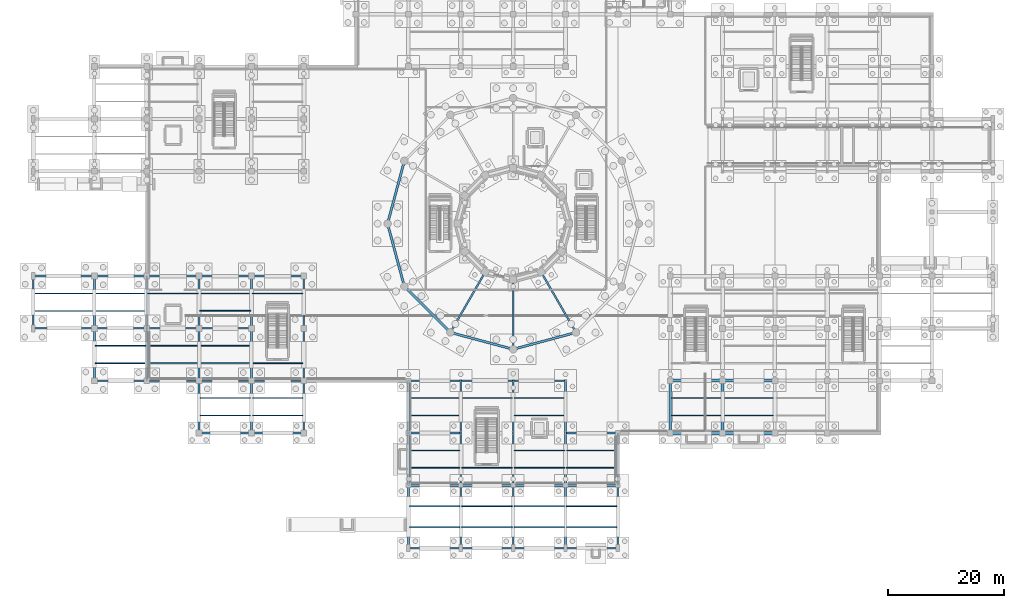
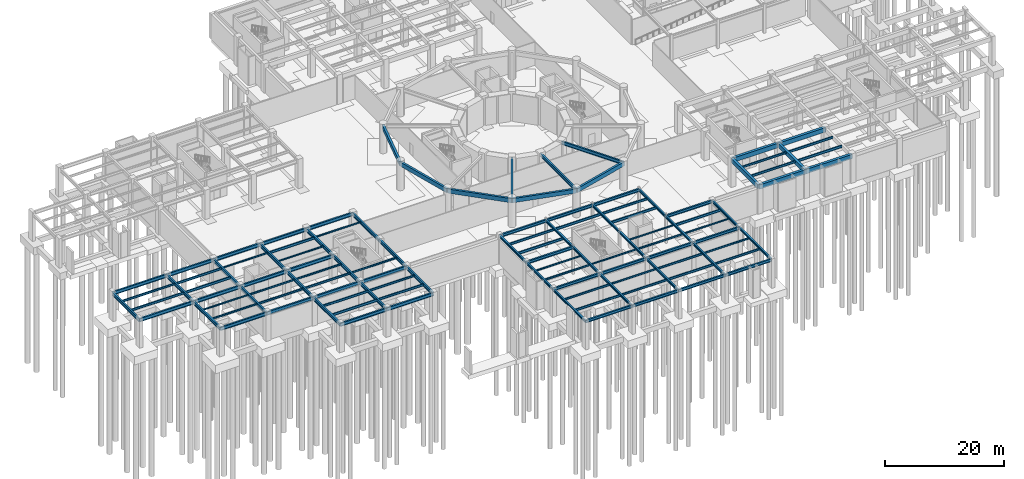
# One storey, part 13 of 36: 113 beams.
"""IFC4 building model written with IfcOpenShell, lengths in metres."""

from ifc_helpers import new_model, si_unit, direction, frame, origin, origin_2d, place, context, subcontext, project, spatial, rectangle, i_section, extrude, material, material_profile, profile_set, type_object, element, save


model = new_model("IFC4")

# Units and contexts
model_context = context("Model", 3, precision=1e-05, world=origin(), true_north=direction((0.0, 1.0)))
body_context = subcontext(model_context, "Body", "Model", "MODEL_VIEW")
ifc_project = project(units=[si_unit("LENGTHUNIT", "METRE"), si_unit("AREAUNIT", "SQUARE_METRE"), si_unit("VOLUMEUNIT", "CUBIC_METRE"), si_unit("PLANEANGLEUNIT", "RADIAN"), si_unit("MASSUNIT", "GRAM", prefix="KILO")], contexts=[model_context])

# Site, building, storey
site_placement = place(None, origin())
site = spatial("IfcSite", under=ifc_project, at=site_placement, CompositionType="ELEMENT")
building_placement = place(site_placement, origin())
building = spatial("IfcBuilding", under=site, at=building_placement, Name="Haizhuo Lancet Aquarium", CompositionType="ELEMENT")
storey_placement = place(building_placement, frame((0.0, 0.0, -6.0)))
storey = spatial("IfcBuildingStorey", under=building, at=storey_placement, Name="B1", CompositionType="ELEMENT", Elevation=-6.0)

# Beams
ifc_material_1 = material(Name="Concrete C40/50", Category="concrete")
ifc_material_profile_1 = material_profile(ifc_material_1, rectangle(XDim=0.449951171875, YDim=0.85009765625, at=origin_2d()), Name="RC-BM 450x850")
ifc_profile_set_1 = profile_set([ifc_material_profile_1], Name="Concrete C40/50")
beam_type_1 = type_object("IfcBeamType", Name="BM-RC-450x850", PredefinedType="BEAM", material=ifc_profile_set_1)
for number, where, z_axis, x_axis, name in (
    (1, (27.0, -36.0, 5.27490234375), (0.0, 1.0, 0.0), (-1.0, 0.0, 0.0), "B1 V3 primary girder BM-B1-V3-001"),
    (2, (36.0, -36.0, 5.27490234375), (0.0, 1.0, 0.0), (-1.0, 0.0, 0.0), "B1 V3 primary girder BM-B1-V3-007"),
):
    element("IfcBeam", number, at=place(storey_placement, frame(where, z_axis=z_axis, x_axis=x_axis)), inside=storey, type_object=beam_type_1, Name=name, PredefinedType="BEAM", context=body_context, shape_type="SweptSolid", body=[
        extrude(rectangle(XDim=0.449951171875, YDim=0.85009765625, at=origin_2d()), origin(), (0.0, 0.0, 1.0), 9.0),
    ])
ifc_material_profile_2 = material_profile(ifc_material_1, rectangle(XDim=0.5, YDim=0.89990234375, at=origin_2d()), Name="RC-BM 500x900")
ifc_profile_set_2 = profile_set([ifc_material_profile_2], Name="Concrete C40/50")
beam_type_2 = type_object("IfcBeamType", Name="BM-RC-500x900", PredefinedType="BEAM", material=ifc_profile_set_2)
for number, where, z_axis, x_axis, name in (
    (3, (27.0, -36.0, 5.25), (1.0, 0.0, 0.0), (0.0, 1.0, 0.0), "B1 V3 primary girder BM-B1-V3-002"),
    (4, (27.0, -27.0, 5.25), (1.0, 0.0, 0.0), (0.0, 1.0, 0.0), "B1 V3 primary girder BM-B1-V3-004"),
    (5, (36.0, -36.0, 5.25), (1.0, 0.0, 0.0), (0.0, 1.0, 0.0), "B1 V3 primary girder BM-B1-V3-008"),
    (6, (36.0, -27.0, 5.25), (1.0, 0.0, 0.0), (0.0, 1.0, 0.0), "B1 V3 primary girder BM-B1-V3-010"),
):
    element("IfcBeam", number, at=place(storey_placement, frame(where, z_axis=z_axis, x_axis=x_axis)), inside=storey, type_object=beam_type_2, Name=name, PredefinedType="BEAM", context=body_context, shape_type="SweptSolid", body=[
        extrude(rectangle(XDim=0.5, YDim=0.89990234375, at=origin_2d()), origin(), (0.0, 0.0, 1.0), 9.0),
    ])
ifc_material_2 = material(Name="Steel S355", Category="steel")
ifc_material_profile_3 = material_profile(ifc_material_2, i_section(OverallWidth=0.300048828125, OverallDepth=0.488037109375, WebThickness=0.010986328125, FlangeThickness=0.01806640625, FilletRadius=0.02392578125, at=origin_2d()), Name="HM 488x300x11x18")
ifc_profile_set_3 = profile_set([ifc_material_profile_3], Name="Steel S355")
beam_type_3 = type_object("IfcBeamType", Name="BM-ST-HM488", PredefinedType="BEAM", material=ifc_profile_set_3)
beam_1_placement = place(storey_placement, frame((-18.0, -55.800048828125, 5.4560546875), z_axis=(0.0, 1.0, 0.0), x_axis=(-1.0, 0.0, 0.0)))
element("IfcBeam", 7, at=beam_1_placement, inside=storey, type_object=beam_type_3, Name="B1 V4 primary girder BM-B1-V4-001", PredefinedType="BEAM", context=body_context, shape_type="SweptSolid", body=[
    extrude(i_section(OverallWidth=0.300048828125, OverallDepth=0.488037109375, WebThickness=0.010986328125, FlangeThickness=0.01806640625, FilletRadius=0.02392578125, at=origin_2d()), origin(), (0.0, 0.0, 1.0), 10.800048828125),
])
for number, where, z_axis, x_axis, name in (
    (8, (-18.0, -45.0, 5.4560546875), (0.0, 1.0, 0.0), (-1.0, 0.0, 0.0), "B1 V4 primary girder BM-B1-V4-003"),
    (9, (-18.0, -36.0, 5.4560546875), (0.0, 1.0, 0.0), (-1.0, 0.0, 0.0), "B1 V4 primary girder BM-B1-V4-005"),
):
    element("IfcBeam", number, at=place(storey_placement, frame(where, z_axis=z_axis, x_axis=x_axis)), inside=storey, type_object=beam_type_3, Name=name, PredefinedType="BEAM", context=body_context, shape_type="SweptSolid", body=[
        extrude(i_section(OverallWidth=0.300048828125, OverallDepth=0.488037109375, WebThickness=0.010986328125, FlangeThickness=0.01806640625, FilletRadius=0.02392578125, at=origin_2d()), origin(), (0.0, 0.0, 1.0), 9.0),
    ])
beam_2_placement = place(storey_placement, frame((-9.0, -55.800048828125, 5.4560546875), z_axis=(0.0, 1.0, 0.0), x_axis=(-1.0, 0.0, 0.0)))
element("IfcBeam", 10, at=beam_2_placement, inside=storey, type_object=beam_type_3, Name="B1 V4 primary girder BM-B1-V4-008", PredefinedType="BEAM", context=body_context, shape_type="SweptSolid", body=[
    extrude(i_section(OverallWidth=0.300048828125, OverallDepth=0.488037109375, WebThickness=0.010986328125, FlangeThickness=0.01806640625, FilletRadius=0.02392578125, at=origin_2d()), origin(), (0.0, 0.0, 1.0), 10.800048828125),
])
for number, where, z_axis, x_axis, name in (
    (11, (-9.0, -45.0, 5.4560546875), (0.0, 1.0, 0.0), (-1.0, 0.0, 0.0), "B1 V4 primary girder BM-B1-V4-010"),
    (12, (-9.0, -36.0, 5.4560546875), (0.0, 1.0, 0.0), (-1.0, 0.0, 0.0), "B1 V4 primary girder BM-B1-V4-012"),
):
    element("IfcBeam", number, at=place(storey_placement, frame(where, z_axis=z_axis, x_axis=x_axis)), inside=storey, type_object=beam_type_3, Name=name, PredefinedType="BEAM", context=body_context, shape_type="SweptSolid", body=[
        extrude(i_section(OverallWidth=0.300048828125, OverallDepth=0.488037109375, WebThickness=0.010986328125, FlangeThickness=0.01806640625, FilletRadius=0.02392578125, at=origin_2d()), origin(), (0.0, 0.0, 1.0), 9.0),
    ])
beam_3_placement = place(storey_placement, frame((0.0, -55.800048828125, 5.4560546875), z_axis=(0.0, 1.0, 0.0), x_axis=(-1.0, 0.0, 0.0)))
element("IfcBeam", 13, at=beam_3_placement, inside=storey, type_object=beam_type_3, Name="B1 V4 primary girder BM-B1-V4-014", PredefinedType="BEAM", context=body_context, shape_type="SweptSolid", body=[
    extrude(i_section(OverallWidth=0.300048828125, OverallDepth=0.488037109375, WebThickness=0.010986328125, FlangeThickness=0.01806640625, FilletRadius=0.02392578125, at=origin_2d()), origin(), (0.0, 0.0, 1.0), 10.800048828125),
])
for number, where, z_axis, x_axis, name in (
    (14, (0.0, -45.0, 5.4560546875), (0.0, 1.0, 0.0), (-1.0, 0.0, 0.0), "B1 V4 primary girder BM-B1-V4-016"),
    (15, (0.0, -36.0, 5.4560546875), (0.0, 1.0, 0.0), (-1.0, 0.0, 0.0), "B1 V4 primary girder BM-B1-V4-018"),
):
    element("IfcBeam", number, at=place(storey_placement, frame(where, z_axis=z_axis, x_axis=x_axis)), inside=storey, type_object=beam_type_3, Name=name, PredefinedType="BEAM", context=body_context, shape_type="SweptSolid", body=[
        extrude(i_section(OverallWidth=0.300048828125, OverallDepth=0.488037109375, WebThickness=0.010986328125, FlangeThickness=0.01806640625, FilletRadius=0.02392578125, at=origin_2d()), origin(), (0.0, 0.0, 1.0), 9.0),
    ])
beam_4_placement = place(storey_placement, frame((9.0, -55.800048828125, 5.4560546875), z_axis=(0.0, 1.0, 0.0), x_axis=(-1.0, 0.0, 0.0)))
element("IfcBeam", 16, at=beam_4_placement, inside=storey, type_object=beam_type_3, Name="B1 V4 primary girder BM-B1-V4-020", PredefinedType="BEAM", context=body_context, shape_type="SweptSolid", body=[
    extrude(i_section(OverallWidth=0.300048828125, OverallDepth=0.488037109375, WebThickness=0.010986328125, FlangeThickness=0.01806640625, FilletRadius=0.02392578125, at=origin_2d()), origin(), (0.0, 0.0, 1.0), 10.800048828125),
])
for number, where, z_axis, x_axis, name in (
    (17, (9.0, -45.0, 5.4560546875), (0.0, 1.0, 0.0), (-1.0, 0.0, 0.0), "B1 V4 primary girder BM-B1-V4-022"),
    (18, (9.0, -36.0, 5.4560546875), (0.0, 1.0, 0.0), (-1.0, 0.0, 0.0), "B1 V4 primary girder BM-B1-V4-024"),
):
    element("IfcBeam", number, at=place(storey_placement, frame(where, z_axis=z_axis, x_axis=x_axis)), inside=storey, type_object=beam_type_3, Name=name, PredefinedType="BEAM", context=body_context, shape_type="SweptSolid", body=[
        extrude(i_section(OverallWidth=0.300048828125, OverallDepth=0.488037109375, WebThickness=0.010986328125, FlangeThickness=0.01806640625, FilletRadius=0.02392578125, at=origin_2d()), origin(), (0.0, 0.0, 1.0), 9.0),
    ])
beam_5_placement = place(storey_placement, frame((18.0, -55.800048828125, 5.4560546875), z_axis=(0.0, 1.0, 0.0), x_axis=(-1.0, 0.0, 0.0)))
element("IfcBeam", 19, at=beam_5_placement, inside=storey, type_object=beam_type_3, Name="B1 V4 primary girder BM-B1-V4-026", PredefinedType="BEAM", context=body_context, shape_type="SweptSolid", body=[
    extrude(i_section(OverallWidth=0.300048828125, OverallDepth=0.488037109375, WebThickness=0.010986328125, FlangeThickness=0.01806640625, FilletRadius=0.02392578125, at=origin_2d()), origin(), (0.0, 0.0, 1.0), 10.800048828125),
])
beam_6_placement = place(storey_placement, frame((18.0, -45.0, 5.4560546875), z_axis=(0.0, 1.0, 0.0), x_axis=(-1.0, 0.0, 0.0)))
element("IfcBeam", 20, at=beam_6_placement, inside=storey, type_object=beam_type_3, Name="B1 V4 primary girder BM-B1-V4-027", PredefinedType="BEAM", context=body_context, shape_type="SweptSolid", body=[
    extrude(i_section(OverallWidth=0.300048828125, OverallDepth=0.488037109375, WebThickness=0.010986328125, FlangeThickness=0.01806640625, FilletRadius=0.02392578125, at=origin_2d()), origin(), (0.0, 0.0, 1.0), 9.0),
])
ifc_material_profile_4 = material_profile(ifc_material_2, i_section(OverallWidth=0.300048828125, OverallDepth=0.587890625, WebThickness=0.011962890625, FlangeThickness=0.02001953125, FilletRadius=0.02587890625, at=origin_2d()), Name="HM 588x300x12x20")
ifc_profile_set_4 = profile_set([ifc_material_profile_4], Name="Steel S355")
beam_type_4 = type_object("IfcBeamType", Name="BM-ST-HM588", PredefinedType="BEAM", material=ifc_profile_set_4)
for number, where, z_axis, x_axis, name in (
    (21, (-18.0, -55.800048828125, 5.406005859375), (1.0, 0.0, 0.0), (0.0, 1.0, 0.0), "B1 V4 primary girder BM-B1-V4-002"),
    (22, (-18.0, -45.0, 5.406005859375), (1.0, 0.0, 0.0), (0.0, 1.0, 0.0), "B1 V4 primary girder BM-B1-V4-004"),
    (23, (-18.0, -36.0, 5.406005859375), (1.0, 0.0, 0.0), (0.0, 1.0, 0.0), "B1 V4 primary girder BM-B1-V4-006"),
    (24, (-18.0, -27.0, 5.406005859375), (1.0, 0.0, 0.0), (0.0, 1.0, 0.0), "B1 V4 primary girder BM-B1-V4-007"),
    (25, (-9.0, -55.800048828125, 5.406005859375), (1.0, 0.0, 0.0), (0.0, 1.0, 0.0), "B1 V4 primary girder BM-B1-V4-009"),
    (26, (-9.0, -45.0, 5.406005859375), (1.0, 0.0, 0.0), (0.0, 1.0, 0.0), "B1 V4 primary girder BM-B1-V4-011"),
    (27, (-9.0, -27.0, 5.406005859375), (1.0, 0.0, 0.0), (0.0, 1.0, 0.0), "B1 V4 primary girder BM-B1-V4-013"),
    (28, (0.0, -55.800048828125, 5.406005859375), (1.0, 0.0, 0.0), (0.0, 1.0, 0.0), "B1 V4 primary girder BM-B1-V4-015"),
    (29, (0.0, -45.0, 5.406005859375), (1.0, 0.0, 0.0), (0.0, 1.0, 0.0), "B1 V4 primary girder BM-B1-V4-017"),
    (30, (0.0, -27.0, 5.406005859375), (1.0, 0.0, 0.0), (0.0, 1.0, 0.0), "B1 V4 primary girder BM-B1-V4-019"),
    (31, (9.0, -55.800048828125, 5.406005859375), (1.0, 0.0, 0.0), (0.0, 1.0, 0.0), "B1 V4 primary girder BM-B1-V4-021"),
    (32, (9.0, -45.0, 5.406005859375), (1.0, 0.0, 0.0), (0.0, 1.0, 0.0), "B1 V4 primary girder BM-B1-V4-023"),
    (33, (9.0, -36.0, 5.406005859375), (1.0, 0.0, 0.0), (0.0, 1.0, 0.0), "B1 V4 primary girder BM-B1-V4-025"),
):
    element("IfcBeam", number, at=place(storey_placement, frame(where, z_axis=z_axis, x_axis=x_axis)), inside=storey, type_object=beam_type_4, Name=name, PredefinedType="BEAM", context=body_context, shape_type="SweptSolid", body=[
        extrude(i_section(OverallWidth=0.300048828125, OverallDepth=0.587890625, WebThickness=0.011962890625, FlangeThickness=0.02001953125, FilletRadius=0.02587890625, at=origin_2d()), origin(), (0.0, 0.0, 1.0), 9.0),
    ])
ifc_material_profile_5 = material_profile(ifc_material_2, i_section(OverallWidth=0.300048828125, OverallDepth=0.699951171875, WebThickness=0.012939453125, FlangeThickness=0.02392578125, FilletRadius=0.02587890625, at=origin_2d()), Name="HN 700x300x13x24")
ifc_profile_set_5 = profile_set([ifc_material_profile_5], Name="Steel S355")
beam_type_5 = type_object("IfcBeamType", Name="BM-ST-HN700", PredefinedType="BEAM", material=ifc_profile_set_5)
beam_7_placement = place(storey_placement, frame((-4.800048828125, -8.31396484375, 5.25), z_axis=(-0.500007758305, -0.866020924479, 0.0), x_axis=(0.866020924479, -0.500007758305, 0.0)))
element("IfcBeam", 34, at=beam_7_placement, inside=storey, type_object=beam_type_5, Name="B1 radial gallery girder 9", PredefinedType="BEAM", context=body_context, shape_type="SweptSolid", body=[
    extrude(i_section(OverallWidth=0.300048828125, OverallDepth=0.699951171875, WebThickness=0.012939453125, FlangeThickness=0.02392578125, FilletRadius=0.02587890625, at=origin_2d()), origin(), (0.0, 0.0, 1.0), 11.999755859375),
])
beam_8_placement = place(storey_placement, frame((0.0, -9.60009765625, 5.25), z_axis=(0.0, -1.0, 0.0), x_axis=(1.0, 0.0, 0.0)))
element("IfcBeam", 35, at=beam_8_placement, inside=storey, type_object=beam_type_5, Name="B1 radial gallery girder 10", PredefinedType="BEAM", context=body_context, shape_type="SweptSolid", body=[
    extrude(i_section(OverallWidth=0.300048828125, OverallDepth=0.699951171875, WebThickness=0.012939453125, FlangeThickness=0.02392578125, FilletRadius=0.02587890625, at=origin_2d()), origin(), (0.0, 0.0, 1.0), 12.0),
])
beam_9_placement = place(storey_placement, frame((4.800048828125, -8.31396484375, 5.25), z_axis=(0.500007758305, -0.866020924479, 0.0), x_axis=(0.866020924479, 0.500007758305, 0.0)))
element("IfcBeam", 36, at=beam_9_placement, inside=storey, type_object=beam_type_5, Name="B1 radial gallery girder 11", PredefinedType="BEAM", context=body_context, shape_type="SweptSolid", body=[
    extrude(i_section(OverallWidth=0.300048828125, OverallDepth=0.699951171875, WebThickness=0.012939453125, FlangeThickness=0.02392578125, FilletRadius=0.02587890625, at=origin_2d()), origin(), (0.0, 0.0, 1.0), 11.999755859375),
])
beam_10_placement = place(storey_placement, frame((-82.5, -18.0, 5.35009765625), z_axis=(0.0, 1.0, 0.0), x_axis=(-1.0, 0.0, 0.0)))
element("IfcBeam", 37, at=beam_10_placement, inside=storey, type_object=beam_type_5, Name="B1 V6 primary girder BM-B1-V6-001", PredefinedType="BEAM", context=body_context, shape_type="SweptSolid", body=[
    extrude(i_section(OverallWidth=0.300048828125, OverallDepth=0.699951171875, WebThickness=0.012939453125, FlangeThickness=0.02392578125, FilletRadius=0.02587890625, at=origin_2d()), origin(), (0.0, 0.0, 1.0), 9.0),
])
for number, where, z_axis, x_axis, name in (
    (38, (-82.5, -18.0, 5.35009765625), (1.0, 0.0, 0.0), (0.0, 1.0, 0.0), "B1 V6 primary girder BM-B1-V6-002"),
    (39, (-82.5, -9.0, 5.35009765625), (1.0, 0.0, 0.0), (0.0, 1.0, 0.0), "B1 V6 primary girder BM-B1-V6-003"),
):
    element("IfcBeam", number, at=place(storey_placement, frame(where, z_axis=z_axis, x_axis=x_axis)), inside=storey, type_object=beam_type_5, Name=name, PredefinedType="BEAM", context=body_context, shape_type="SweptSolid", body=[
        extrude(i_section(OverallWidth=0.300048828125, OverallDepth=0.699951171875, WebThickness=0.012939453125, FlangeThickness=0.02392578125, FilletRadius=0.02587890625, at=origin_2d()), origin(), (0.0, 0.0, 1.0), 10.5),
    ])
for number, where, z_axis, x_axis, name in (
    (40, (-72.0, -27.0, 5.35009765625), (0.0, 1.0, 0.0), (-1.0, 0.0, 0.0), "B1 V6 primary girder BM-B1-V6-004"),
    (41, (-72.0, -27.0, 5.35009765625), (1.0, 0.0, 0.0), (0.0, 1.0, 0.0), "B1 V6 primary girder BM-B1-V6-005"),
    (42, (-72.0, -18.0, 5.35009765625), (0.0, 1.0, 0.0), (-1.0, 0.0, 0.0), "B1 V6 primary girder BM-B1-V6-006"),
    (43, (-72.0, -18.0, 5.35009765625), (1.0, 0.0, 0.0), (0.0, 1.0, 0.0), "B1 V6 primary girder BM-B1-V6-007"),
    (44, (-72.0, -9.0, 5.35009765625), (1.0, 0.0, 0.0), (0.0, 1.0, 0.0), "B1 V6 primary girder BM-B1-V6-008"),
    (45, (-63.0, -27.0, 5.35009765625), (0.0, 1.0, 0.0), (-1.0, 0.0, 0.0), "B1 V6 primary girder BM-B1-V6-009"),
    (46, (-63.0, -27.0, 5.35009765625), (1.0, 0.0, 0.0), (0.0, 1.0, 0.0), "B1 V6 primary girder BM-B1-V6-010"),
    (47, (-63.0, -18.0, 5.35009765625), (0.0, 1.0, 0.0), (-1.0, 0.0, 0.0), "B1 V6 primary girder BM-B1-V6-011"),
    (48, (-63.0, -18.0, 5.35009765625), (1.0, 0.0, 0.0), (0.0, 1.0, 0.0), "B1 V6 primary girder BM-B1-V6-012"),
    (49, (-63.0, -9.0, 5.35009765625), (1.0, 0.0, 0.0), (0.0, 1.0, 0.0), "B1 V6 primary girder BM-B1-V6-013"),
    (50, (-54.0, -36.0, 5.35009765625), (0.0, 1.0, 0.0), (-1.0, 0.0, 0.0), "B1 V6 primary girder BM-B1-V6-014"),
    (51, (-54.0, -36.0, 5.35009765625), (1.0, 0.0, 0.0), (0.0, 1.0, 0.0), "B1 V6 primary girder BM-B1-V6-015"),
    (52, (-54.0, -27.0, 5.35009765625), (0.0, 1.0, 0.0), (-1.0, 0.0, 0.0), "B1 V6 primary girder BM-B1-V6-016"),
    (53, (-54.0, -27.0, 5.35009765625), (1.0, 0.0, 0.0), (0.0, 1.0, 0.0), "B1 V6 primary girder BM-B1-V6-017"),
    (54, (-54.0, -18.0, 5.35009765625), (0.0, 1.0, 0.0), (-1.0, 0.0, 0.0), "B1 V6 primary girder BM-B1-V6-018"),
    (55, (-54.0, -18.0, 5.35009765625), (1.0, 0.0, 0.0), (0.0, 1.0, 0.0), "B1 V6 primary girder BM-B1-V6-019"),
    (56, (-54.0, -9.0, 5.35009765625), (1.0, 0.0, 0.0), (0.0, 1.0, 0.0), "B1 V6 primary girder BM-B1-V6-020"),
    (57, (-45.0, -36.0, 5.35009765625), (0.0, 1.0, 0.0), (-1.0, 0.0, 0.0), "B1 V6 primary girder BM-B1-V6-021"),
    (58, (-45.0, -36.0, 5.35009765625), (1.0, 0.0, 0.0), (0.0, 1.0, 0.0), "B1 V6 primary girder BM-B1-V6-022"),
    (59, (-45.0, -27.0, 5.35009765625), (0.0, 1.0, 0.0), (-1.0, 0.0, 0.0), "B1 V6 primary girder BM-B1-V6-023"),
    (60, (-45.0, -27.0, 5.35009765625), (1.0, 0.0, 0.0), (0.0, 1.0, 0.0), "B1 V6 primary girder BM-B1-V6-024"),
    (61, (-45.0, -18.0, 5.35009765625), (0.0, 1.0, 0.0), (-1.0, 0.0, 0.0), "B1 V6 primary girder BM-B1-V6-025"),
    (62, (-45.0, -9.0, 5.35009765625), (1.0, 0.0, 0.0), (0.0, 1.0, 0.0), "B1 V6 primary girder BM-B1-V6-026"),
    (63, (-36.0, -36.0, 5.35009765625), (0.0, 1.0, 0.0), (-1.0, 0.0, 0.0), "B1 V6 primary girder BM-B1-V6-027"),
    (64, (-36.0, -27.0, 5.35009765625), (0.0, 1.0, 0.0), (-1.0, 0.0, 0.0), "B1 V6 primary girder BM-B1-V6-028"),
    (65, (-36.0, -18.0, 5.35009765625), (0.0, 1.0, 0.0), (-1.0, 0.0, 0.0), "B1 V6 primary girder BM-B1-V6-029"),
):
    element("IfcBeam", number, at=place(storey_placement, frame(where, z_axis=z_axis, x_axis=x_axis)), inside=storey, type_object=beam_type_5, Name=name, PredefinedType="BEAM", context=body_context, shape_type="SweptSolid", body=[
        extrude(i_section(OverallWidth=0.300048828125, OverallDepth=0.699951171875, WebThickness=0.012939453125, FlangeThickness=0.02392578125, FilletRadius=0.02587890625, at=origin_2d()), origin(), (0.0, 0.0, 1.0), 9.0),
    ])
ifc_material_profile_6 = material_profile(ifc_material_2, i_section(OverallWidth=0.14990234375, OverallDepth=0.300048828125, WebThickness=0.006591796875, FlangeThickness=0.009033203125, FilletRadius=0.012939453125, at=origin_2d()), Name="HN 300x150x6.5x9")
ifc_profile_set_6 = profile_set([ifc_material_profile_6], Name="Steel S355")
beam_type_6 = type_object("IfcBeamType", Name="JST-ST-HN300", PredefinedType="JOIST", material=ifc_profile_set_6)
for number, where, z_axis, x_axis, name in (
    (66, (-17.85009765625, -39.0, 5.550048828125), (1.0, 0.0, 0.0), (0.0, 1.0, 0.0), "B1 V4 secondary floor joist 4"),
    (67, (-8.85009765625, -42.0, 5.550048828125), (1.0, 0.0, 0.0), (0.0, 1.0, 0.0), "B1 V4 secondary floor joist 9"),
    (68, (0.14990234375, -39.0, 5.550048828125), (1.0, 0.0, 0.0), (0.0, 1.0, 0.0), "B1 V4 secondary floor joist 14"),
    (69, (9.14990234375, -42.0, 5.550048828125), (1.0, 0.0, 0.0), (0.0, 1.0, 0.0), "B1 V4 secondary floor joist 19"),
    (70, (-71.85009765625, -21.0, 5.550048828125), (1.0, 0.0, 0.0), (0.0, 1.0, 0.0), "B1 V6 secondary floor joist 4"),
    (71, (-62.85009765625, -12.0, 5.550048828125), (1.0, 0.0, 0.0), (0.0, 1.0, 0.0), "B1 V6 secondary floor joist 9"),
    (72, (-53.85009765625, -15.0, 5.550048828125), (1.0, 0.0, 0.0), (0.0, 1.0, 0.0), "B1 V6 secondary floor joist 14"),
    (73, (-44.85009765625, -12.0, 5.550048828125), (1.0, 0.0, 0.0), (0.0, 1.0, 0.0), "B1 V6 secondary floor joist 19"),
):
    element("IfcBeam", number, at=place(storey_placement, frame(where, z_axis=z_axis, x_axis=x_axis)), inside=storey, type_object=beam_type_6, Name=name, PredefinedType="JOIST", context=body_context, shape_type="SweptSolid", body=[
        extrude(i_section(OverallWidth=0.14990234375, OverallDepth=0.300048828125, WebThickness=0.006591796875, FlangeThickness=0.009033203125, FilletRadius=0.012939453125, at=origin_2d()), origin(), (0.0, 0.0, 1.0), 8.7001953125),
    ])
ifc_material_profile_7 = material_profile(ifc_material_2, i_section(OverallWidth=0.175048828125, OverallDepth=0.35009765625, WebThickness=0.007080078125, FlangeThickness=0.010986328125, FilletRadius=0.013916015625, at=origin_2d()), Name="HN 350x175x7x11")
ifc_profile_set_7 = profile_set([ifc_material_profile_7], Name="Steel S355")
beam_type_7 = type_object("IfcBeamType", Name="JST-ST-HN350", PredefinedType="JOIST", material=ifc_profile_set_7)
for number, where, z_axis, x_axis, name in (
    (74, (-17.85009765625, -42.0, 5.52490234375), (1.0, 0.0, 0.0), (0.0, 1.0, 0.0), "B1 V4 secondary floor joist 3"),
    (75, (-8.85009765625, -48.60009765625, 5.52490234375), (1.0, 0.0, 0.0), (0.0, 1.0, 0.0), "B1 V4 secondary floor joist 8"),
    (76, (0.14990234375, -42.0, 5.52490234375), (1.0, 0.0, 0.0), (0.0, 1.0, 0.0), "B1 V4 secondary floor joist 13"),
    (77, (9.14990234375, -48.60009765625, 5.52490234375), (1.0, 0.0, 0.0), (0.0, 1.0, 0.0), "B1 V4 secondary floor joist 18"),
    (78, (-71.85009765625, -24.0, 5.52490234375), (1.0, 0.0, 0.0), (0.0, 1.0, 0.0), "B1 V6 secondary floor joist 3"),
    (79, (-62.85009765625, -21.0, 5.52490234375), (1.0, 0.0, 0.0), (0.0, 1.0, 0.0), "B1 V6 secondary floor joist 8"),
    (80, (-53.85009765625, -21.0, 5.52490234375), (1.0, 0.0, 0.0), (0.0, 1.0, 0.0), "B1 V6 secondary floor joist 13"),
    (81, (-44.85009765625, -24.0, 5.52490234375), (1.0, 0.0, 0.0), (0.0, 1.0, 0.0), "B1 V6 secondary floor joist 18"),
):
    element("IfcBeam", number, at=place(storey_placement, frame(where, z_axis=z_axis, x_axis=x_axis)), inside=storey, type_object=beam_type_7, Name=name, PredefinedType="JOIST", context=body_context, shape_type="SweptSolid", body=[
        extrude(i_section(OverallWidth=0.175048828125, OverallDepth=0.35009765625, WebThickness=0.007080078125, FlangeThickness=0.010986328125, FilletRadius=0.013916015625, at=origin_2d()), origin(), (0.0, 0.0, 1.0), 8.7001953125),
    ])
ifc_material_profile_8 = material_profile(ifc_material_2, i_section(OverallWidth=0.199951171875, OverallDepth=0.39990234375, WebThickness=0.008056640625, FlangeThickness=0.012939453125, FilletRadius=0.01611328125, at=origin_2d()), Name="HN 400x200x8x13")
ifc_profile_set_8 = profile_set([ifc_material_profile_8], Name="Steel S355")
beam_type_8 = type_object("IfcBeamType", Name="JST-ST-HN400", PredefinedType="JOIST", material=ifc_profile_set_8)
beam_11_placement = place(storey_placement, frame((27.22509765625, -30.0, 5.5), z_axis=(1.0, 0.0, 0.0), x_axis=(0.0, 1.0, 0.0)))
element("IfcBeam", 82, at=beam_11_placement, inside=storey, type_object=beam_type_8, Name="B1 V3 secondary floor joist 2", PredefinedType="JOIST", context=body_context, shape_type="SweptSolid", body=[
    extrude(i_section(OverallWidth=0.199951171875, OverallDepth=0.39990234375, WebThickness=0.008056640625, FlangeThickness=0.012939453125, FilletRadius=0.01611328125, at=origin_2d()), origin(), (0.0, 0.0, 1.0), 8.5498046875),
])
for number, where, z_axis, x_axis, name in (
    (83, (-17.85009765625, -48.60009765625, 5.5), (1.0, 0.0, 0.0), (0.0, 1.0, 0.0), "B1 V4 secondary floor joist 2"),
    (84, (-8.85009765625, -52.199951171875, 5.5), (1.0, 0.0, 0.0), (0.0, 1.0, 0.0), "B1 V4 secondary floor joist 7"),
    (85, (0.14990234375, -48.60009765625, 5.5), (1.0, 0.0, 0.0), (0.0, 1.0, 0.0), "B1 V4 secondary floor joist 12"),
    (86, (9.14990234375, -52.199951171875, 5.5), (1.0, 0.0, 0.0), (0.0, 1.0, 0.0), "B1 V4 secondary floor joist 17"),
):
    element("IfcBeam", number, at=place(storey_placement, frame(where, z_axis=z_axis, x_axis=x_axis)), inside=storey, type_object=beam_type_8, Name=name, PredefinedType="JOIST", context=body_context, shape_type="SweptSolid", body=[
        extrude(i_section(OverallWidth=0.199951171875, OverallDepth=0.39990234375, WebThickness=0.008056640625, FlangeThickness=0.012939453125, FilletRadius=0.01611328125, at=origin_2d()), origin(), (0.0, 0.0, 1.0), 8.7001953125),
    ])
beam_12_placement = place(storey_placement, frame((-82.35009765625, -12.0, 5.5), z_axis=(1.0, 0.0, 0.0), x_axis=(0.0, 1.0, 0.0)))
element("IfcBeam", 87, at=beam_12_placement, inside=storey, type_object=beam_type_8, Name="B1 V6 secondary floor joist 2", PredefinedType="JOIST", context=body_context, shape_type="SweptSolid", body=[
    extrude(i_section(OverallWidth=0.199951171875, OverallDepth=0.39990234375, WebThickness=0.008056640625, FlangeThickness=0.012939453125, FilletRadius=0.01611328125, at=origin_2d()), origin(), (0.0, 0.0, 1.0), 10.2001953125),
])
for number, where, z_axis, x_axis, name in (
    (88, (-62.85009765625, -24.0, 5.5), (1.0, 0.0, 0.0), (0.0, 1.0, 0.0), "B1 V6 secondary floor joist 7"),
    (89, (-53.85009765625, -24.0, 5.5), (1.0, 0.0, 0.0), (0.0, 1.0, 0.0), "B1 V6 secondary floor joist 12"),
    (90, (-44.85009765625, -30.0, 5.5), (1.0, 0.0, 0.0), (0.0, 1.0, 0.0), "B1 V6 secondary floor joist 17"),
):
    element("IfcBeam", number, at=place(storey_placement, frame(where, z_axis=z_axis, x_axis=x_axis)), inside=storey, type_object=beam_type_8, Name=name, PredefinedType="JOIST", context=body_context, shape_type="SweptSolid", body=[
        extrude(i_section(OverallWidth=0.199951171875, OverallDepth=0.39990234375, WebThickness=0.008056640625, FlangeThickness=0.012939453125, FilletRadius=0.01611328125, at=origin_2d()), origin(), (0.0, 0.0, 1.0), 8.7001953125),
    ])
ifc_material_profile_9 = material_profile(ifc_material_2, i_section(OverallWidth=0.199951171875, OverallDepth=0.449951171875, WebThickness=0.009033203125, FlangeThickness=0.013916015625, FilletRadius=0.01806640625, at=origin_2d()), Name="HN 450x200x9x14")
ifc_profile_set_9 = profile_set([ifc_material_profile_9], Name="Steel S355")
beam_type_9 = type_object("IfcBeamType", Name="JST-ST-HN450", PredefinedType="JOIST", material=ifc_profile_set_9)
for number, where, z_axis, x_axis, name in (
    (91, (27.22509765625, -33.0, 5.47509765625), (1.0, 0.0, 0.0), (0.0, 1.0, 0.0), "B1 V3 secondary floor joist 1"),
    (92, (36.22509765625, -30.0, 5.47509765625), (1.0, 0.0, 0.0), (0.0, 1.0, 0.0), "B1 V3 secondary floor joist 6"),
):
    element("IfcBeam", number, at=place(storey_placement, frame(where, z_axis=z_axis, x_axis=x_axis)), inside=storey, type_object=beam_type_9, Name=name, PredefinedType="JOIST", context=body_context, shape_type="SweptSolid", body=[
        extrude(i_section(OverallWidth=0.199951171875, OverallDepth=0.449951171875, WebThickness=0.009033203125, FlangeThickness=0.013916015625, FilletRadius=0.01806640625, at=origin_2d()), origin(), (0.0, 0.0, 1.0), 8.5498046875),
    ])
for number, where, z_axis, x_axis, name in (
    (93, (-17.85009765625, -52.199951171875, 5.47509765625), (1.0, 0.0, 0.0), (0.0, 1.0, 0.0), "B1 V4 secondary floor joist 1"),
    (94, (-17.85009765625, -30.0, 5.47509765625), (1.0, 0.0, 0.0), (0.0, 1.0, 0.0), "B1 V4 secondary floor joist 6"),
    (95, (0.14990234375, -52.199951171875, 5.47509765625), (1.0, 0.0, 0.0), (0.0, 1.0, 0.0), "B1 V4 secondary floor joist 11"),
    (96, (0.14990234375, -30.0, 5.47509765625), (1.0, 0.0, 0.0), (0.0, 1.0, 0.0), "B1 V4 secondary floor joist 16"),
):
    element("IfcBeam", number, at=place(storey_placement, frame(where, z_axis=z_axis, x_axis=x_axis)), inside=storey, type_object=beam_type_9, Name=name, PredefinedType="JOIST", context=body_context, shape_type="SweptSolid", body=[
        extrude(i_section(OverallWidth=0.199951171875, OverallDepth=0.449951171875, WebThickness=0.009033203125, FlangeThickness=0.013916015625, FilletRadius=0.01806640625, at=origin_2d()), origin(), (0.0, 0.0, 1.0), 8.7001953125),
    ])
beam_13_placement = place(storey_placement, frame((-82.35009765625, -15.0, 5.47509765625), z_axis=(1.0, 0.0, 0.0), x_axis=(0.0, 1.0, 0.0)))
element("IfcBeam", 97, at=beam_13_placement, inside=storey, type_object=beam_type_9, Name="B1 V6 secondary floor joist 1", PredefinedType="JOIST", context=body_context, shape_type="SweptSolid", body=[
    extrude(i_section(OverallWidth=0.199951171875, OverallDepth=0.449951171875, WebThickness=0.009033203125, FlangeThickness=0.013916015625, FilletRadius=0.01806640625, at=origin_2d()), origin(), (0.0, 0.0, 1.0), 10.2001953125),
])
for number, where, z_axis, x_axis, name in (
    (98, (-71.85009765625, -12.0, 5.47509765625), (1.0, 0.0, 0.0), (0.0, 1.0, 0.0), "B1 V6 secondary floor joist 6"),
    (99, (-53.85009765625, -30.0, 5.47509765625), (1.0, 0.0, 0.0), (0.0, 1.0, 0.0), "B1 V6 secondary floor joist 11"),
    (100, (-44.85009765625, -33.0, 5.47509765625), (1.0, 0.0, 0.0), (0.0, 1.0, 0.0), "B1 V6 secondary floor joist 16"),
):
    element("IfcBeam", number, at=place(storey_placement, frame(where, z_axis=z_axis, x_axis=x_axis)), inside=storey, type_object=beam_type_9, Name=name, PredefinedType="JOIST", context=body_context, shape_type="SweptSolid", body=[
        extrude(i_section(OverallWidth=0.199951171875, OverallDepth=0.449951171875, WebThickness=0.009033203125, FlangeThickness=0.013916015625, FilletRadius=0.01806640625, at=origin_2d()), origin(), (0.0, 0.0, 1.0), 8.7001953125),
    ])
ifc_material_profile_10 = material_profile(ifc_material_2, i_section(OverallWidth=0.199951171875, OverallDepth=0.5, WebThickness=0.010009765625, FlangeThickness=0.01611328125, FilletRadius=0.02001953125, at=origin_2d()), Name="HN 500x200x10x16")
ifc_profile_set_10 = profile_set([ifc_material_profile_10], Name="Steel S355")
beam_type_10 = type_object("IfcBeamType", Name="JST-ST-HN500", PredefinedType="JOIST", material=ifc_profile_set_10)
beam_14_placement = place(storey_placement, frame((36.22509765625, -33.0, 5.449951171875), z_axis=(1.0, 0.0, 0.0), x_axis=(0.0, 1.0, 0.0)))
element("IfcBeam", 101, at=beam_14_placement, inside=storey, type_object=beam_type_10, Name="B1 V3 secondary floor joist 5", PredefinedType="JOIST", context=body_context, shape_type="SweptSolid", body=[
    extrude(i_section(OverallWidth=0.199951171875, OverallDepth=0.5, WebThickness=0.010009765625, FlangeThickness=0.01611328125, FilletRadius=0.02001953125, at=origin_2d()), origin(), (0.0, 0.0, 1.0), 8.5498046875),
])
for number, where, z_axis, x_axis, name in (
    (102, (-17.85009765625, -33.0, 5.449951171875), (1.0, 0.0, 0.0), (0.0, 1.0, 0.0), "B1 V4 secondary floor joist 5"),
    (103, (-8.85009765625, -30.0, 5.449951171875), (1.0, 0.0, 0.0), (0.0, 1.0, 0.0), "B1 V4 secondary floor joist 10"),
    (104, (0.14990234375, -33.0, 5.449951171875), (1.0, 0.0, 0.0), (0.0, 1.0, 0.0), "B1 V4 secondary floor joist 15"),
    (105, (9.14990234375, -39.0, 5.449951171875), (1.0, 0.0, 0.0), (0.0, 1.0, 0.0), "B1 V4 secondary floor joist 20"),
    (106, (-71.85009765625, -15.0, 5.449951171875), (1.0, 0.0, 0.0), (0.0, 1.0, 0.0), "B1 V6 secondary floor joist 5"),
    (107, (-53.85009765625, -33.0, 5.449951171875), (1.0, 0.0, 0.0), (0.0, 1.0, 0.0), "B1 V6 secondary floor joist 10"),
    (108, (-53.85009765625, -12.0, 5.449951171875), (1.0, 0.0, 0.0), (0.0, 1.0, 0.0), "B1 V6 secondary floor joist 15"),
):
    element("IfcBeam", number, at=place(storey_placement, frame(where, z_axis=z_axis, x_axis=x_axis)), inside=storey, type_object=beam_type_10, Name=name, PredefinedType="JOIST", context=body_context, shape_type="SweptSolid", body=[
        extrude(i_section(OverallWidth=0.199951171875, OverallDepth=0.5, WebThickness=0.010009765625, FlangeThickness=0.01611328125, FilletRadius=0.02001953125, at=origin_2d()), origin(), (0.0, 0.0, 1.0), 8.7001953125),
    ])
ifc_material_profile_11 = material_profile(ifc_material_1, rectangle(XDim=0.39990234375, YDim=0.85009765625, at=origin_2d()), Name="RC-SP 400x850")
ifc_profile_set_11 = profile_set([ifc_material_profile_11], Name="Concrete C40/50")
beam_type_11 = type_object("IfcBeamType", Name="SPN-RC-400x850", PredefinedType="SPANDREL", material=ifc_profile_set_11)
for number, where, z_axis, x_axis, name in (
    (109, (-18.7060546875, 10.800048828125, 5.175048828125), (-0.258833949056, -0.965921832664, 0.0), (0.965921832664, -0.258833949056, 0.0), "B1 drum perimeter spandrel 6"),
    (110, (-21.60009765625, 0.0, 5.175048828125), (0.258833949056, -0.965921832664, 0.0), (0.965921832664, 0.258833949056, 0.0), "B1 drum perimeter spandrel 7"),
):
    element("IfcBeam", number, at=place(storey_placement, frame(where, z_axis=z_axis, x_axis=x_axis)), inside=storey, type_object=beam_type_11, Name=name, PredefinedType="SPANDREL", context=body_context, shape_type="SweptSolid", body=[
        extrude(rectangle(XDim=0.39990234375, YDim=0.85009765625, at=origin_2d()), origin(), (0.0, 0.0, 1.0), 11.18115234375),
    ])
beam_15_placement = place(storey_placement, frame((-18.7060546875, -10.800048828125, 5.175048828125), z_axis=(0.707106781187, -0.707106781187, 0.0), x_axis=(0.707106781187, 0.707106781187, 0.0)))
element("IfcBeam", 111, at=beam_15_placement, inside=storey, type_object=beam_type_11, Name="B1 drum perimeter spandrel 8", PredefinedType="SPANDREL", context=body_context, shape_type="SweptSolid", body=[
    extrude(rectangle(XDim=0.39990234375, YDim=0.85009765625, at=origin_2d()), origin(), (0.0, 0.0, 1.0), 11.1806640625),
])
for number, where, z_axis, x_axis, name in (
    (112, (-10.800048828125, -18.7060546875, 5.175048828125), (0.965921832664, -0.258833949056, 0.0), (0.258833949056, 0.965921832664, 0.0), "B1 drum perimeter spandrel 9"),
    (113, (0.0, -21.60009765625, 5.175048828125), (0.965921832664, 0.258833949056, 0.0), (-0.258833949056, 0.965921832664, 0.0), "B1 drum perimeter spandrel 10"),
):
    element("IfcBeam", number, at=place(storey_placement, frame(where, z_axis=z_axis, x_axis=x_axis)), inside=storey, type_object=beam_type_11, Name=name, PredefinedType="SPANDREL", context=body_context, shape_type="SweptSolid", body=[
        extrude(rectangle(XDim=0.39990234375, YDim=0.85009765625, at=origin_2d()), origin(), (0.0, 0.0, 1.0), 11.18115234375),
    ])

save(model, "model.ifc")
